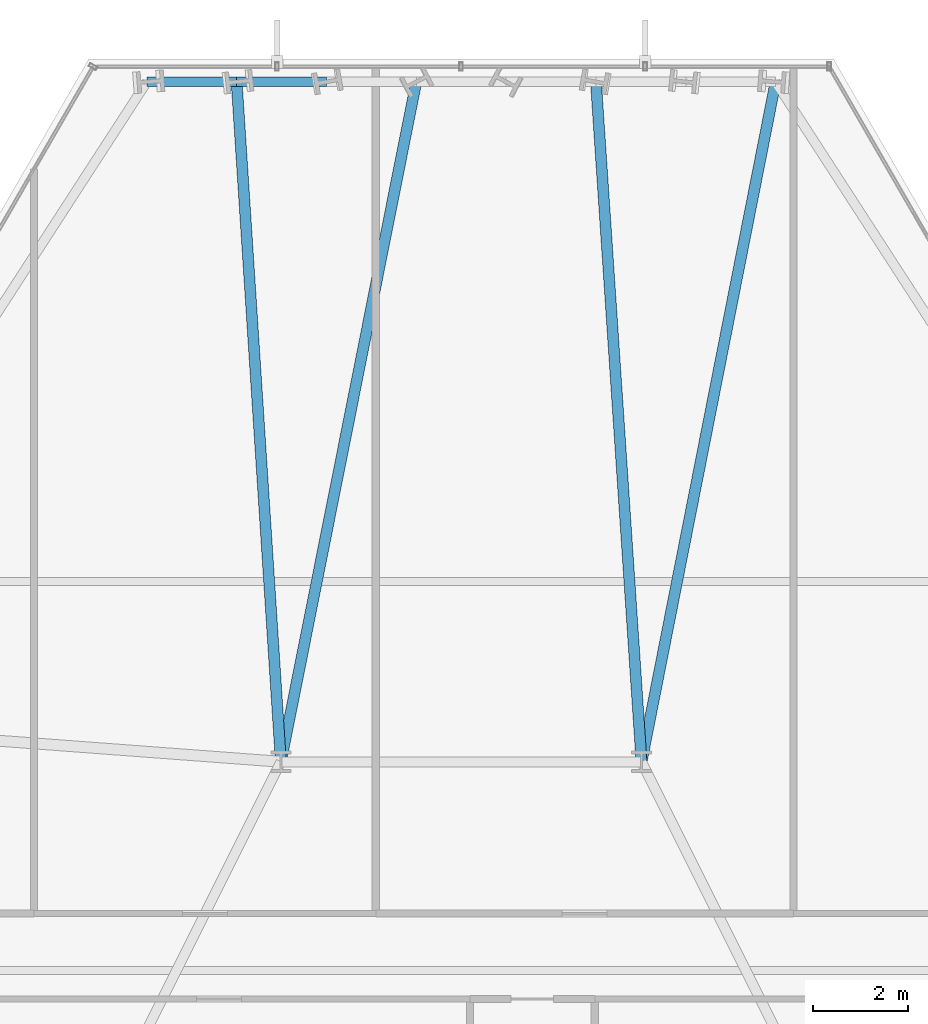
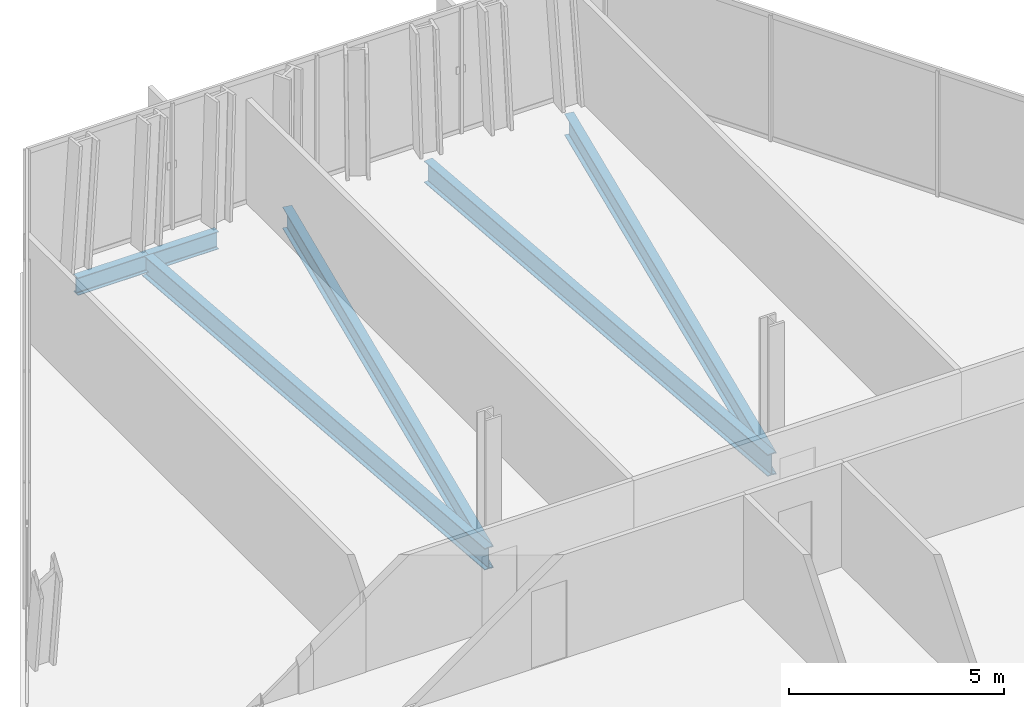
# One storey, part 22 of 32: 6 beams.
"""IFC4 building model written with IfcOpenShell, lengths in metres."""

from ifc_helpers import new_model, si_unit, direction, frame, origin, origin_2d, place, context, subcontext, project, spatial, i_section, extrude, material, material_profile, profile_set, type_object, element, save


model = new_model("IFC4")

# Units and contexts
model_context = context("Model", 3, precision=1e-05, world=origin(), true_north=direction((0.0, 1.0)))
body_context = subcontext(model_context, "Body", "Model", "MODEL_VIEW")
ifc_project = project(units=[si_unit("LENGTHUNIT", "METRE"), si_unit("AREAUNIT", "SQUARE_METRE"), si_unit("VOLUMEUNIT", "CUBIC_METRE"), si_unit("PLANEANGLEUNIT", "RADIAN"), si_unit("MASSUNIT", "GRAM", prefix="KILO")], contexts=[model_context])

# Site, building, storey
site_placement = place(None, origin())
site = spatial("IfcSite", under=ifc_project, at=site_placement, CompositionType="ELEMENT")
building_placement = place(site_placement, origin())
building = spatial("IfcBuilding", under=site, at=building_placement, Name="Ndaravel Arena Tower", CompositionType="ELEMENT")
storey_placement = place(building_placement, frame((0.0, 0.0, 66.39990234375)))
storey = spatial("IfcBuildingStorey", under=building, at=storey_placement, Name="L14", CompositionType="ELEMENT", Elevation=66.39990234375)

# Beams
ifc_material_1 = material(Name="Steel S355", Category="steel")
ifc_material_profile_1 = material_profile(ifc_material_1, i_section(OverallWidth=0.230224609375, OverallDepth=0.6171875, WebThickness=0.01318359375, FlangeThickness=0.022216796875, FilletRadius=0.0126953125, at=origin_2d()), Name="UB 610x229x140")
ifc_profile_set_1 = profile_set([ifc_material_profile_1], Name="Steel S355")
beam_type_1 = type_object("IfcBeamType", Name="BM-GIRD-UB610B", PredefinedType="BEAM", material=ifc_profile_set_1)
beam_1_placement = place(storey_placement, frame((48.625, 45.52783203125, -0.528564453125), z_axis=(-0.193440572584, -0.981111994055, 0.0), x_axis=(0.981111994055, -0.193440572584, 0.0)))
element("IfcBeam", 1, at=beam_1_placement, inside=storey, type_object=beam_type_1, Name="L14 Radial Floor Girder FG-11", PredefinedType="BEAM", context=body_context, shape_type="SweptSolid", body=[
    extrude(i_section(OverallWidth=0.230224609375, OverallDepth=0.6171875, WebThickness=0.01318359375, FlangeThickness=0.022216796875, FilletRadius=0.0126953125, at=origin_2d()), origin(), (0.0, 0.0, 1.0), 14.603759765625),
])
beam_2_placement = place(storey_placement, frame((44.83935546875, 45.52783203125, -0.528564453125), z_axis=(0.066900408178, -0.997759658127, 0.0), x_axis=(0.997759658127, 0.066900408178, 0.0)))
element("IfcBeam", 2, at=beam_2_placement, inside=storey, type_object=beam_type_1, Name="L14 Radial Floor Girder FG-13", PredefinedType="BEAM", context=body_context, shape_type="SweptSolid", body=[
    extrude(i_section(OverallWidth=0.230224609375, OverallDepth=0.6171875, WebThickness=0.01318359375, FlangeThickness=0.022216796875, FilletRadius=0.0126953125, at=origin_2d()), origin(), (0.0, 0.0, 1.0), 14.360107421875),
])
beam_3_placement = place(storey_placement, frame((41.0537109375, 45.52783203125, -0.528564453125), z_axis=(-0.195338355384, -0.980735910893, 0.0), x_axis=(0.980735910893, -0.195338355384, 0.0)))
element("IfcBeam", 3, at=beam_3_placement, inside=storey, type_object=beam_type_1, Name="L14 Radial Floor Girder FG-15", PredefinedType="BEAM", context=body_context, shape_type="SweptSolid", body=[
    extrude(i_section(OverallWidth=0.230224609375, OverallDepth=0.6171875, WebThickness=0.01318359375, FlangeThickness=0.022216796875, FilletRadius=0.0126953125, at=origin_2d()), origin(), (0.0, 0.0, 1.0), 14.609375),
])
beam_4_placement = place(storey_placement, frame((37.267822265625, 45.52783203125, -0.528564453125), z_axis=(0.064919758738, -0.997890487441, 0.0), x_axis=(0.997890487441, 0.064919758738, 0.0)))
element("IfcBeam", 4, at=beam_4_placement, inside=storey, type_object=beam_type_1, Name="L14 Radial Floor Girder FG-17", PredefinedType="BEAM", context=body_context, shape_type="SweptSolid", body=[
    extrude(i_section(OverallWidth=0.230224609375, OverallDepth=0.6171875, WebThickness=0.01318359375, FlangeThickness=0.022216796875, FilletRadius=0.0126953125, at=origin_2d()), origin(), (0.0, 0.0, 1.0), 14.358154296875),
])
ifc_material_2 = material(Name="Steel S355", Category="steel")
ifc_material_profile_2 = material_profile(ifc_material_2, i_section(OverallWidth=0.199951171875, OverallDepth=0.5, WebThickness=0.01025390625, FlangeThickness=0.01611328125, FilletRadius=0.02099609375, at=origin_2d()), Name="IPE 500")
ifc_profile_set_2 = profile_set([ifc_material_profile_2], Name="Steel S355")
beam_type_2 = type_object("IfcBeamType", Name="BM-SPAN-IPE500", PredefinedType="SPANDREL", material=ifc_profile_set_2)
for number, where, z_axis, x_axis, name in (
    (5, (39.16064453125, 45.52783203125, -0.469970703125), (-1.0, 0.0, 0.0), (0.0, -1.0, 0.0), "L14 Perimeter Spandrel Beam SP-16"),
    (6, (37.267822265625, 45.52783203125, -0.469970703125), (-1.0, 0.0, 0.0), (0.0, -1.0, 0.0), "L14 Perimeter Spandrel Beam SP-17"),
):
    element("IfcBeam", number, at=place(storey_placement, frame(where, z_axis=z_axis, x_axis=x_axis)), inside=storey, type_object=beam_type_2, Name=name, PredefinedType="SPANDREL", context=body_context, shape_type="SweptSolid", body=[
        extrude(i_section(OverallWidth=0.199951171875, OverallDepth=0.5, WebThickness=0.01025390625, FlangeThickness=0.01611328125, FilletRadius=0.02099609375, at=origin_2d()), origin(), (0.0, 0.0, 1.0), 1.892822265625),
    ])

save(model, "model.ifc")
